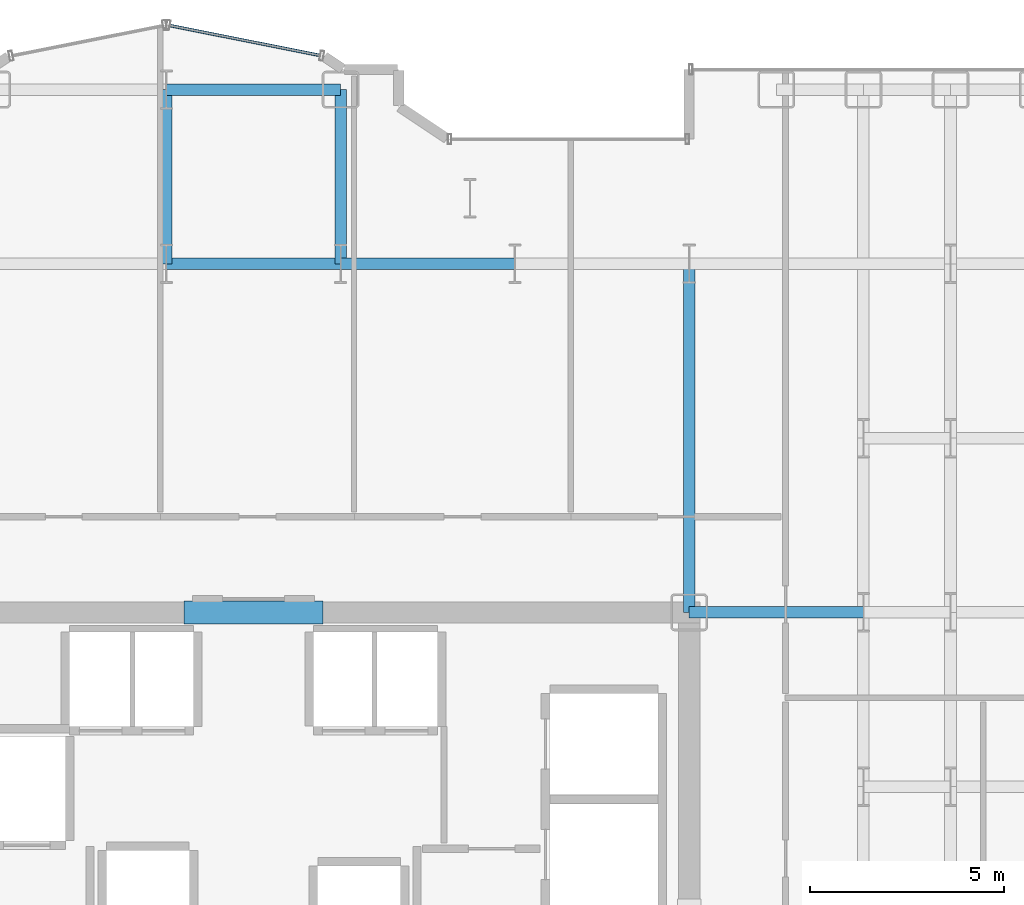
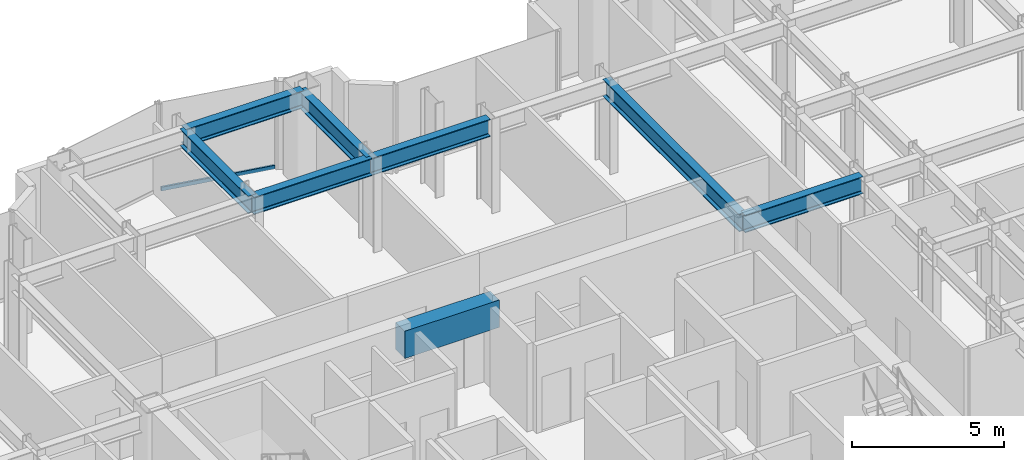
# One storey, part 11 of 26: 8 beams, 1 member, 1 element without a shape of its own.
"""IFC4 building model written with IfcOpenShell, lengths in metres."""

from ifc_helpers import new_model, si_unit, direction, frame, origin, origin_2d, place, context, subcontext, project, spatial, rectangle, hollow_rectangle, i_section, extrude, source, transform, mapped, material, layer, layer_set, material_profile, profile_set, type_object, element, aggregate, save


model = new_model("IFC4")

# Units and contexts
model_context = context("Model", 3, precision=1e-05, world=origin(), true_north=direction((0.0, 1.0)))
body_context = subcontext(model_context, "Body", "Model", "MODEL_VIEW")
ifc_project = project(units=[si_unit("LENGTHUNIT", "METRE"), si_unit("AREAUNIT", "SQUARE_METRE"), si_unit("VOLUMEUNIT", "CUBIC_METRE"), si_unit("PLANEANGLEUNIT", "RADIAN"), si_unit("MASSUNIT", "GRAM", prefix="KILO")], contexts=[model_context])

# Site, building, storey
site_placement = place(None, origin())
site = spatial("IfcSite", under=ifc_project, at=site_placement, CompositionType="ELEMENT")
building_placement = place(site_placement, origin())
building = spatial("IfcBuilding", under=site, at=building_placement, Name="Nefas-Gora Pilgrimage Tower", CompositionType="ELEMENT")
storey_placement = place(building_placement, frame((0.0, 0.0, 94.60009765625)))
storey = spatial("IfcBuildingStorey", under=building, at=storey_placement, Name="L22", CompositionType="ELEMENT", Elevation=94.60009765625)

# Beams
ifc_material_1 = material(Name="Concrete C60/75", Category="concrete")
ifc_material_profile_1 = material_profile(ifc_material_1, rectangle(XDim=0.60009765625, YDim=1.10009765625, at=origin_2d()), Name="RC 600x1100")
ifc_profile_set_1 = profile_set([ifc_material_profile_1], Name="Concrete C60/75")
beam_type_1 = type_object("IfcBeamType", Name="BM-LIN-RC1100", PredefinedType="LINTEL", material=ifc_profile_set_1)
shared_shape_1 = source(origin(), body_context, "Body", "SweptSolid", [
    extrude(rectangle(XDim=0.60009765625, YDim=1.10009765625, at=origin_2d()), origin(), (0.0, 0.0, 1.0), 3.60009765625),
])
beam_1_placement = place(storey_placement, frame((-1.800048828125, 9.0, 3.0), z_axis=(1.0, 0.0, 0.0), x_axis=(0.0, 1.0, 0.0)))
element("IfcBeam", 1, at=beam_1_placement, inside=storey, type_object=beam_type_1, Name="L22 Core Coupling Lintel Beam N", PredefinedType="LINTEL", context=body_context, shape_type="MappedRepresentation", body=[
    mapped(shared_shape_1, transform((0.0, 0.0, 0.0), x_axis=(1.0, 0.0, 0.0), y_axis=(0.0, 1.0, 0.0), z_axis=(0.0, 0.0, 1.0), scale=1.0)),
])
ifc_material_2 = material(Name="Steel S355", Category="steel")
ifc_material_profile_2 = material_profile(ifc_material_2, i_section(OverallWidth=0.300048828125, OverallDepth=0.699951171875, WebThickness=0.01708984375, FlangeThickness=0.031982421875, FilletRadius=0.027099609375, at=origin_2d()), Name="HEB 700")
ifc_profile_set_2 = profile_set([ifc_material_profile_2], Name="Steel S355")
beam_type_2 = type_object("IfcBeamType", Name="BM-GIR-HEB700", PredefinedType="BEAM", material=ifc_profile_set_2)
shared_shape_2 = source(origin(), body_context, "Body", "SweptSolid", [
    extrude(i_section(OverallWidth=0.300048828125, OverallDepth=0.699951171875, WebThickness=0.01708984375, FlangeThickness=0.031982421875, FilletRadius=0.027099609375, at=origin_2d()), origin(), (0.0, 0.0, 1.0), 9.0),
])
beam_2_placement = place(storey_placement, frame((11.25, 9.0, 3.199951171875), z_axis=(0.0, 1.0, 0.0), x_axis=(-1.0, 0.0, 0.0)))
element("IfcBeam", 2, at=beam_2_placement, inside=storey, type_object=beam_type_2, Name="L22 G-02 beam", PredefinedType="BEAM", context=body_context, shape_type="MappedRepresentation", body=[
    mapped(shared_shape_2, transform((0.0, 0.0, 0.0), x_axis=(1.0, 0.0, 0.0), y_axis=(0.0, 1.0, 0.0), z_axis=(0.0, 0.0, 1.0), scale=1.0)),
])
shared_shape_3 = source(origin(), body_context, "Body", "SweptSolid", [
    extrude(i_section(OverallWidth=0.300048828125, OverallDepth=0.699951171875, WebThickness=0.01708984375, FlangeThickness=0.031982421875, FilletRadius=0.027099609375, at=origin_2d()), origin(), (0.0, 0.0, 1.0), 4.5),
])
for number, where, z_axis, x_axis, name in (
    (3, (-2.25, 18.0, 3.199951171875), (0.0, 1.0, 0.0), (-1.0, 0.0, 0.0), "L22 G-02 beam"),
    (4, (-2.25, 18.0, 3.199951171875), (1.0, 0.0, 0.0), (0.0, 1.0, 0.0), "L22 G-02 beam"),
    (5, (-2.25, 22.5, 3.199951171875), (1.0, 0.0, 0.0), (0.0, 1.0, 0.0), "L22 G-02 beam"),
    (6, (2.25, 18.0, 3.199951171875), (0.0, 1.0, 0.0), (-1.0, 0.0, 0.0), "L22 G-02 beam"),
    (7, (2.25, 18.0, 3.199951171875), (1.0, 0.0, 0.0), (0.0, 1.0, 0.0), "L22 G-02 beam"),
    (8, (11.25, 9.0, 3.199951171875), (1.0, 0.0, 0.0), (0.0, 1.0, 0.0), "L22 G-02 beam"),
):
    element("IfcBeam", number, at=place(storey_placement, frame(where, z_axis=z_axis, x_axis=x_axis)), inside=storey, type_object=beam_type_2, Name=name, PredefinedType="BEAM", context=body_context, shape_type="MappedRepresentation", body=[
        mapped(shared_shape_3, transform((0.0, 0.0, 0.0), x_axis=(1.0, 0.0, 0.0), y_axis=(0.0, 1.0, 0.0), z_axis=(0.0, 0.0, 1.0), scale=1.0)),
    ])

# Curtain wall, member
ifc_material_3 = material(Name="Dark ceramic-fritted solar-control aluminium-glass curtain wall", Category="aluminium")
ifc_layer = layer(ifc_material_3, 0.219970703125)
ifc_layer_set = layer_set([ifc_layer], Name="Dark ceramic-fritted solar-control aluminium-glass curtain wall")
curtain_wall_type = type_object("IfcCurtainWallType", Name="CW-SYS-5", PredefinedType="NOTDEFINED", material=ifc_layer_set)
curtain_wall_placement = place(storey_placement, origin())
curtain_wall = element("IfcCurtainWall", 9, at=curtain_wall_placement, inside=storey, type_object=curtain_wall_type, Name="L22 Unitised Curtain Wall CW5", PredefinedType="NOTDEFINED")
ifc_material_4 = material(Name="Anodised architectural aluminium", Category="aluminium")
ifc_material_profile_3 = material_profile(ifc_material_4, hollow_rectangle(XDim=0.080078125, YDim=0.159912109375, WallThickness=0.00439453125, InnerFilletRadius=0.00439453125, OuterFilletRadius=0.009033203125, at=origin_2d()), Name="ALU TRANSOM 80x160")
ifc_profile_set_3 = profile_set([ifc_material_profile_3], Name="Anodised architectural aluminium")
member_type = type_object("IfcMemberType", Name="CWM-TRN-5", PredefinedType="USERDEFINED", material=ifc_profile_set_3)
shared_shape_4 = source(origin(), body_context, "Body", "SweptSolid", [
    extrude(hollow_rectangle(XDim=0.080078125, YDim=0.159912109375, WallThickness=0.00439453125, InnerFilletRadius=0.00439453125, OuterFilletRadius=0.009033203125, at=origin_2d()), origin(), (0.0, 0.0, 1.0), 3.95654296875),
])
member_placement = place(storey_placement, frame((1.718994140625, 23.3828125, 0.0498046875), z_axis=(-0.980781880918, 0.195107411605, 0.0), x_axis=(-0.195107411605, -0.980781880918, 0.0)))
member = element("IfcMember", 10, at=member_placement, type_object=member_type, Name="CW5 Spandrel Transom", ObjectType="TRANSOM", PredefinedType="USERDEFINED", context=body_context, shape_type="MappedRepresentation", body=[
    mapped(shared_shape_4, transform((0.0, 0.0, 0.0), x_axis=(1.0, 0.0, 0.0), y_axis=(0.0, 1.0, 0.0), z_axis=(0.0, 0.0, 1.0), scale=1.0)),
])
aggregate(curtain_wall, [member])

save(model, "model.ifc")
